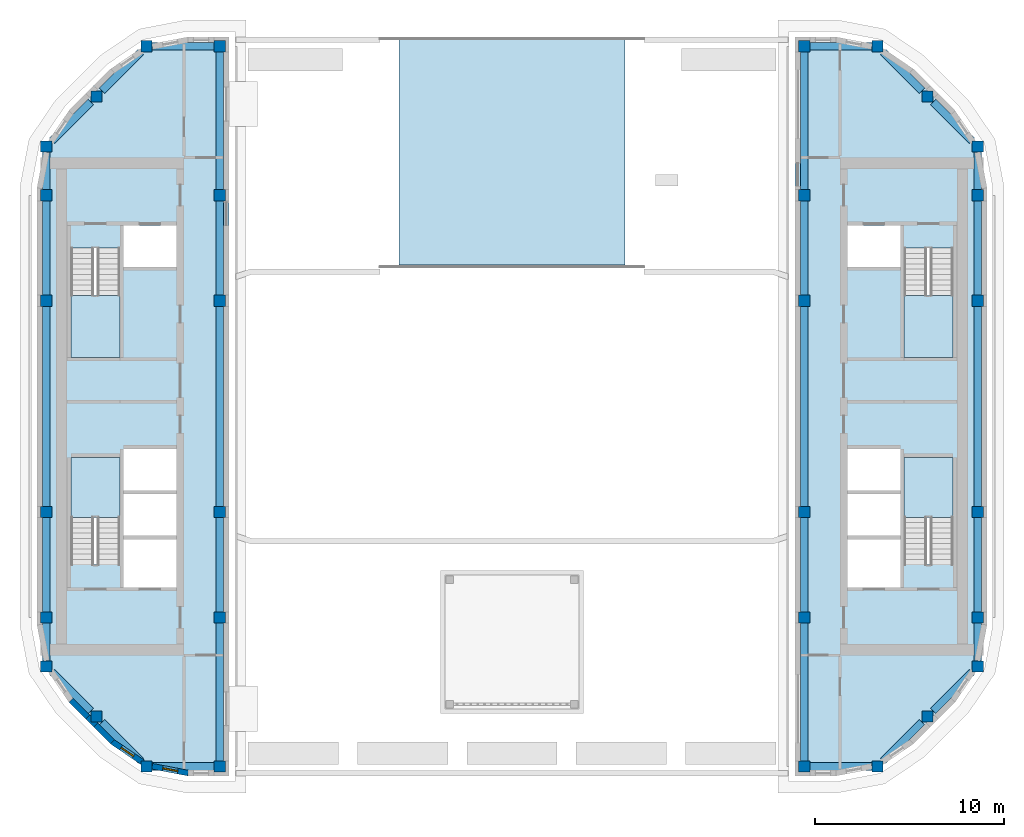
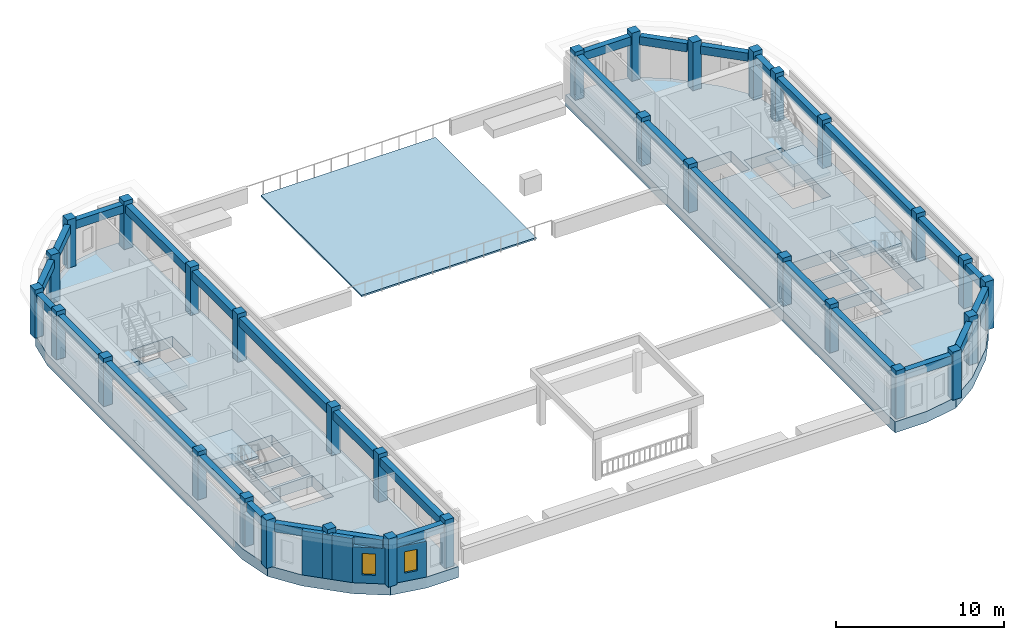
# One storey, part 1 of 14: 32 beams, 32 columns, 7 slabs, 5 walls, 2 windows, 2 openings, 4 elements without a shape of their own.
"""IFC4 building model written with IfcOpenShell, lengths in metres."""

from ifc_helpers import new_model, si_unit, direction, frame, frame_2d, origin, origin_2d, place, context, subcontext, project, spatial, polyline, rectangle, outline, extrude, material, layer, layer_set, material_profile, profile_set, type_object, element, fill, aggregate, save


model = new_model("IFC4")

# Units and contexts
model_context = context("Model", 3, precision=1e-05, world=origin(), true_north=direction((0.0, 1.0)))
body_context = subcontext(model_context, "Body", "Model", "MODEL_VIEW")
ifc_project = project(units=[si_unit("LENGTHUNIT", "METRE"), si_unit("AREAUNIT", "SQUARE_METRE"), si_unit("VOLUMEUNIT", "CUBIC_METRE"), si_unit("PLANEANGLEUNIT", "RADIAN"), si_unit("MASSUNIT", "GRAM", prefix="KILO")], contexts=[model_context])

# Site, building, storey
site_placement = place(None, origin())
site = spatial("IfcSite", under=ifc_project, at=site_placement, CompositionType="ELEMENT")
building_placement = place(site_placement, origin())
building = spatial("IfcBuilding", under=site, at=building_placement, Name="Kiln Ring Residences", CompositionType="ELEMENT")
storey_placement = place(building_placement, frame((0.0, 0.0, 299.89990234375)))
storey = spatial("IfcBuildingStorey", under=building, at=storey_placement, Name="L77 Crown", CompositionType="ELEMENT", Elevation=299.89990234375)

# Columns
ifc_material_1 = material(Name="Concrete C60/75", Category="concrete")
ifc_material_profile_1 = material_profile(ifc_material_1, rectangle(XDim=0.60009765625, YDim=0.60009765625, at=origin_2d()), Name="RC600x600")
ifc_profile_set_1 = profile_set([ifc_material_profile_1], Name="Concrete C60/75")
column_type = type_object("IfcColumnType", Name="Crown column RC600x600 C60/75", PredefinedType="COLUMN", material=ifc_profile_set_1)
for number, where, z_axis, x_axis, name in (
    (1, (-24.699951171875, -13.79296875, 0.0), (0.0, 0.0, 1.0), (1.0, 0.0, 0.0), "Crown column L77 Crown 1"),
    (2, (-24.699951171875, -11.199951171875, 0.0), (0.0, 0.0, 1.0), (1.0, 0.0, 0.0), "Crown column L77 Crown 2"),
    (3, (-24.699951171875, -5.60009765625, 0.0), (0.0, 0.0, 1.0), (1.0, 0.0, 0.0), "Crown column L77 Crown 3"),
    (4, (-24.699951171875, 5.60009765625, 0.0), (0.0, 0.0, 1.0), (1.0, 0.0, 0.0), "Crown column L77 Crown 4"),
    (5, (-24.699951171875, 11.199951171875, 0.0), (0.0, 0.0, 1.0), (1.0, 0.0, 0.0), "Crown column L77 Crown 5"),
    (6, (-24.699951171875, 13.79296875, 0.0), (0.0, 0.0, 1.0), (1.0, 0.0, 0.0), "Crown column L77 Crown 6"),
    (7, (-22.04638671875, -16.4462890625, 0.0), (0.0, 0.0, 1.0), (1.0, 0.0, 0.0), "Crown column L77 Crown 7"),
    (8, (-22.04638671875, 16.4462890625, 0.0), (0.0, 0.0, 1.0), (1.0, 0.0, 0.0), "Crown column L77 Crown 8"),
    (9, (-19.392822265625, -19.10009765625, 0.0), (0.0, 0.0, 1.0), (1.0, 0.0, 0.0), "Crown column L77 Crown 9"),
    (10, (-19.392822265625, 19.10009765625, 0.0), (0.0, 0.0, 1.0), (1.0, 0.0, 0.0), "Crown column L77 Crown 10"),
    (11, (-15.5, -19.10009765625, 0.0), (0.0, 0.0, 1.0), (1.0, 0.0, 0.0), "Crown column L77 Crown 11"),
    (12, (-15.5, -11.199951171875, 0.0), (0.0, 0.0, 1.0), (1.0, 0.0, 0.0), "Crown column L77 Crown 12"),
    (13, (-15.5, -5.60009765625, 0.0), (0.0, 0.0, 1.0), (1.0, 0.0, 0.0), "Crown column L77 Crown 13"),
    (14, (-15.5, 5.60009765625, 0.0), (0.0, 0.0, 1.0), (1.0, 0.0, 0.0), "Crown column L77 Crown 14"),
    (15, (-15.5, 11.199951171875, 0.0), (0.0, 0.0, 1.0), (1.0, 0.0, 0.0), "Crown column L77 Crown 15"),
    (16, (-15.5, 19.10009765625, 0.0), (0.0, 0.0, 1.0), (1.0, 0.0, 0.0), "Crown column L77 Crown 16"),
    (17, (15.5, -19.10009765625, 0.0), (0.0, 0.0, 1.0), (1.0, 0.0, 0.0), "Crown column L77 Crown 17"),
    (18, (15.5, -11.199951171875, 0.0), (0.0, 0.0, 1.0), (1.0, 0.0, 0.0), "Crown column L77 Crown 18"),
    (19, (15.5, -5.60009765625, 0.0), (0.0, 0.0, 1.0), (1.0, 0.0, 0.0), "Crown column L77 Crown 19"),
    (20, (15.5, 5.60009765625, 0.0), (0.0, 0.0, 1.0), (1.0, 0.0, 0.0), "Crown column L77 Crown 20"),
    (21, (15.5, 11.199951171875, 0.0), (0.0, 0.0, 1.0), (1.0, 0.0, 0.0), "Crown column L77 Crown 21"),
    (22, (15.5, 19.10009765625, 0.0), (0.0, 0.0, 1.0), (1.0, 0.0, 0.0), "Crown column L77 Crown 22"),
    (23, (19.392822265625, -19.10009765625, 0.0), (0.0, 0.0, 1.0), (1.0, 0.0, 0.0), "Crown column L77 Crown 23"),
    (24, (19.392822265625, 19.10009765625, 0.0), (0.0, 0.0, 1.0), (1.0, 0.0, 0.0), "Crown column L77 Crown 24"),
    (25, (22.04638671875, -16.4462890625, 0.0), (0.0, 0.0, 1.0), (1.0, 0.0, 0.0), "Crown column L77 Crown 25"),
    (26, (22.04638671875, 16.4462890625, 0.0), (0.0, 0.0, 1.0), (1.0, 0.0, 0.0), "Crown column L77 Crown 26"),
    (27, (24.699951171875, -13.79296875, 0.0), (0.0, 0.0, 1.0), (1.0, 0.0, 0.0), "Crown column L77 Crown 27"),
    (28, (24.699951171875, -11.199951171875, 0.0), (0.0, 0.0, 1.0), (1.0, 0.0, 0.0), "Crown column L77 Crown 28"),
    (29, (24.699951171875, -5.60009765625, 0.0), (0.0, 0.0, 1.0), (1.0, 0.0, 0.0), "Crown column L77 Crown 29"),
    (30, (24.699951171875, 5.60009765625, 0.0), (0.0, 0.0, 1.0), (1.0, 0.0, 0.0), "Crown column L77 Crown 30"),
    (31, (24.699951171875, 11.199951171875, 0.0), (0.0, 0.0, 1.0), (1.0, 0.0, 0.0), "Crown column L77 Crown 31"),
    (32, (24.699951171875, 13.79296875, 0.0), (0.0, 0.0, 1.0), (1.0, 0.0, 0.0), "Crown column L77 Crown 32"),
):
    element("IfcColumn", number, at=place(storey_placement, frame(where, z_axis=z_axis, x_axis=x_axis)), inside=storey, type_object=column_type, Name=name, PredefinedType="COLUMN", context=body_context, shape_type="SweptSolid", body=[
        extrude(rectangle(XDim=0.60009765625, YDim=0.60009765625, at=origin_2d()), origin(), (0.0, 0.0, 1.0), 3.5),
    ])

# Beams
ifc_material_2 = material(Name="Concrete C50/60", Category="concrete")
ifc_material_profile_2 = material_profile(ifc_material_2, rectangle(XDim=0.39990234375, YDim=0.60009765625, at=origin_2d()), Name="RC400x600")
ifc_profile_set_2 = profile_set([ifc_material_profile_2], Name="Concrete C50/60")
beam_type = type_object("IfcBeamType", Name="Spandrel beam RC400x600 C50/60", PredefinedType="SPANDREL", material=ifc_profile_set_2)
beam_1_placement = place(storey_placement, frame((-24.699951171875, -5.89990234375, 2.900146484375), z_axis=(0.0, -1.0, 0.0), x_axis=(1.0, 0.0, 0.0)))
element("IfcBeam", 33, at=beam_1_placement, inside=storey, type_object=beam_type, Name="Spandrel beam L77 Crown 1", PredefinedType="SPANDREL", context=body_context, shape_type="SweptSolid", body=[
    extrude(rectangle(XDim=0.39990234375, YDim=0.60009765625, at=origin_2d()), origin(), (0.0, 0.0, 1.0), 5.0),
])
beam_2_placement = place(storey_placement, frame((-24.699951171875, -11.5, 2.900146484375), z_axis=(0.0, -1.0, 0.0), x_axis=(1.0, 0.0, 0.0)))
element("IfcBeam", 34, at=beam_2_placement, inside=storey, type_object=beam_type, Name="Spandrel beam L77 Crown 2", PredefinedType="SPANDREL", context=body_context, shape_type="SweptSolid", body=[
    extrude(rectangle(XDim=0.39990234375, YDim=0.60009765625, at=origin_2d()), origin(), (0.0, 0.0, 1.0), 1.992919921875),
])
for number, where, z_axis, x_axis, name in (
    (35, (-24.39990234375, -14.0927734375, 2.900146484375), (0.707064747792, -0.707148812083, 0.0), (0.707148812083, 0.707064747792, 0.0), "Spandrel beam L77 Crown 3"),
    (36, (-21.746337890625, -16.746337890625, 2.900146484375), (0.707064747792, -0.707148812083, 0.0), (0.707148812083, 0.707064747792, 0.0), "Spandrel beam L77 Crown 4"),
):
    element("IfcBeam", number, at=place(storey_placement, frame(where, z_axis=z_axis, x_axis=x_axis)), inside=storey, type_object=beam_type, Name=name, PredefinedType="SPANDREL", context=body_context, shape_type="SweptSolid", body=[
        extrude(rectangle(XDim=0.39990234375, YDim=0.60009765625, at=origin_2d()), origin(), (0.0, 0.0, 1.0), 2.904296875),
    ])
beam_3_placement = place(storey_placement, frame((-19.093017578125, -19.10009765625, 2.900146484375), z_axis=(1.0, 0.0, 0.0), x_axis=(0.0, 1.0, 0.0)))
element("IfcBeam", 37, at=beam_3_placement, inside=storey, type_object=beam_type, Name="Spandrel beam L77 Crown 5", PredefinedType="SPANDREL", context=body_context, shape_type="SweptSolid", body=[
    extrude(rectangle(XDim=0.39990234375, YDim=0.60009765625, at=origin_2d()), origin(), (0.0, 0.0, 1.0), 3.29296875),
])
beam_4_placement = place(storey_placement, frame((-15.5, -18.800048828125, 2.900146484375), z_axis=(0.0, 1.0, 0.0), x_axis=(-1.0, 0.0, 0.0)))
element("IfcBeam", 38, at=beam_4_placement, inside=storey, type_object=beam_type, Name="Spandrel beam L77 Crown 6", PredefinedType="SPANDREL", context=body_context, shape_type="SweptSolid", body=[
    extrude(rectangle(XDim=0.39990234375, YDim=0.60009765625, at=origin_2d()), origin(), (0.0, 0.0, 1.0), 7.300048828125),
])
beam_5_placement = place(storey_placement, frame((-15.5, -10.89990234375, 2.900146484375), z_axis=(0.0, 1.0, 0.0), x_axis=(-1.0, 0.0, 0.0)))
element("IfcBeam", 39, at=beam_5_placement, inside=storey, type_object=beam_type, Name="Spandrel beam L77 Crown 7", PredefinedType="SPANDREL", context=body_context, shape_type="SweptSolid", body=[
    extrude(rectangle(XDim=0.39990234375, YDim=0.60009765625, at=origin_2d()), origin(), (0.0, 0.0, 1.0), 5.0),
])
beam_6_placement = place(storey_placement, frame((-15.5, -5.300048828125, 2.900146484375), z_axis=(0.0, 1.0, 0.0), x_axis=(-1.0, 0.0, 0.0)))
element("IfcBeam", 40, at=beam_6_placement, inside=storey, type_object=beam_type, Name="Spandrel beam L77 Crown 8", PredefinedType="SPANDREL", context=body_context, shape_type="SweptSolid", body=[
    extrude(rectangle(XDim=0.39990234375, YDim=0.60009765625, at=origin_2d()), origin(), (0.0, 0.0, 1.0), 10.60009765625),
])
beam_7_placement = place(storey_placement, frame((-15.5, 5.89990234375, 2.900146484375), z_axis=(0.0, 1.0, 0.0), x_axis=(-1.0, 0.0, 0.0)))
element("IfcBeam", 41, at=beam_7_placement, inside=storey, type_object=beam_type, Name="Spandrel beam L77 Crown 9", PredefinedType="SPANDREL", context=body_context, shape_type="SweptSolid", body=[
    extrude(rectangle(XDim=0.39990234375, YDim=0.60009765625, at=origin_2d()), origin(), (0.0, 0.0, 1.0), 5.0),
])
beam_8_placement = place(storey_placement, frame((-15.5, 11.5, 2.900146484375), z_axis=(0.0, 1.0, 0.0), x_axis=(-1.0, 0.0, 0.0)))
element("IfcBeam", 42, at=beam_8_placement, inside=storey, type_object=beam_type, Name="Spandrel beam L77 Crown 10", PredefinedType="SPANDREL", context=body_context, shape_type="SweptSolid", body=[
    extrude(rectangle(XDim=0.39990234375, YDim=0.60009765625, at=origin_2d()), origin(), (0.0, 0.0, 1.0), 7.300048828125),
])
beam_9_placement = place(storey_placement, frame((-15.800048828125, 19.10009765625, 2.900146484375), z_axis=(-1.0, 0.0, 0.0), x_axis=(0.0, -1.0, 0.0)))
element("IfcBeam", 43, at=beam_9_placement, inside=storey, type_object=beam_type, Name="Spandrel beam L77 Crown 11", PredefinedType="SPANDREL", context=body_context, shape_type="SweptSolid", body=[
    extrude(rectangle(XDim=0.39990234375, YDim=0.60009765625, at=origin_2d()), origin(), (0.0, 0.0, 1.0), 3.29296875),
])
for number, where, z_axis, x_axis, name in (
    (44, (-19.69287109375, 18.800048828125, 2.900146484375), (-0.707064747792, -0.707148812083, 0.0), (0.707148812083, -0.707064747792, 0.0), "Spandrel beam L77 Crown 12"),
    (45, (-22.346435546875, 16.146484375, 2.900146484375), (-0.707064747792, -0.707148812083, 0.0), (0.707148812083, -0.707064747792, 0.0), "Spandrel beam L77 Crown 13"),
):
    element("IfcBeam", number, at=place(storey_placement, frame(where, z_axis=z_axis, x_axis=x_axis)), inside=storey, type_object=beam_type, Name=name, PredefinedType="SPANDREL", context=body_context, shape_type="SweptSolid", body=[
        extrude(rectangle(XDim=0.39990234375, YDim=0.60009765625, at=origin_2d()), origin(), (0.0, 0.0, 1.0), 2.904296875),
    ])
beam_10_placement = place(storey_placement, frame((-24.699951171875, 13.492919921875, 2.900146484375), z_axis=(0.0, -1.0, 0.0), x_axis=(1.0, 0.0, 0.0)))
element("IfcBeam", 46, at=beam_10_placement, inside=storey, type_object=beam_type, Name="Spandrel beam L77 Crown 14", PredefinedType="SPANDREL", context=body_context, shape_type="SweptSolid", body=[
    extrude(rectangle(XDim=0.39990234375, YDim=0.60009765625, at=origin_2d()), origin(), (0.0, 0.0, 1.0), 1.992919921875),
])
beam_11_placement = place(storey_placement, frame((-24.699951171875, 10.89990234375, 2.900146484375), z_axis=(0.0, -1.0, 0.0), x_axis=(1.0, 0.0, 0.0)))
element("IfcBeam", 47, at=beam_11_placement, inside=storey, type_object=beam_type, Name="Spandrel beam L77 Crown 15", PredefinedType="SPANDREL", context=body_context, shape_type="SweptSolid", body=[
    extrude(rectangle(XDim=0.39990234375, YDim=0.60009765625, at=origin_2d()), origin(), (0.0, 0.0, 1.0), 5.0),
])
beam_12_placement = place(storey_placement, frame((-24.699951171875, 5.300048828125, 2.900146484375), z_axis=(0.0, -1.0, 0.0), x_axis=(1.0, 0.0, 0.0)))
element("IfcBeam", 48, at=beam_12_placement, inside=storey, type_object=beam_type, Name="Spandrel beam L77 Crown 16", PredefinedType="SPANDREL", context=body_context, shape_type="SweptSolid", body=[
    extrude(rectangle(XDim=0.39990234375, YDim=0.60009765625, at=origin_2d()), origin(), (0.0, 0.0, 1.0), 10.60009765625),
])
beam_13_placement = place(storey_placement, frame((15.5, -5.89990234375, 2.900146484375), z_axis=(0.0, -1.0, 0.0), x_axis=(1.0, 0.0, 0.0)))
element("IfcBeam", 49, at=beam_13_placement, inside=storey, type_object=beam_type, Name="Spandrel beam L77 Crown 17", PredefinedType="SPANDREL", context=body_context, shape_type="SweptSolid", body=[
    extrude(rectangle(XDim=0.39990234375, YDim=0.60009765625, at=origin_2d()), origin(), (0.0, 0.0, 1.0), 5.0),
])
beam_14_placement = place(storey_placement, frame((15.5, -11.5, 2.900146484375), z_axis=(0.0, -1.0, 0.0), x_axis=(1.0, 0.0, 0.0)))
element("IfcBeam", 50, at=beam_14_placement, inside=storey, type_object=beam_type, Name="Spandrel beam L77 Crown 18", PredefinedType="SPANDREL", context=body_context, shape_type="SweptSolid", body=[
    extrude(rectangle(XDim=0.39990234375, YDim=0.60009765625, at=origin_2d()), origin(), (0.0, 0.0, 1.0), 7.300048828125),
])
beam_15_placement = place(storey_placement, frame((15.800048828125, -19.10009765625, 2.900146484375), z_axis=(1.0, 0.0, 0.0), x_axis=(0.0, 1.0, 0.0)))
element("IfcBeam", 51, at=beam_15_placement, inside=storey, type_object=beam_type, Name="Spandrel beam L77 Crown 19", PredefinedType="SPANDREL", context=body_context, shape_type="SweptSolid", body=[
    extrude(rectangle(XDim=0.39990234375, YDim=0.60009765625, at=origin_2d()), origin(), (0.0, 0.0, 1.0), 3.29296875),
])
for number, where, z_axis, x_axis, name in (
    (52, (19.69287109375, -18.800048828125, 2.900146484375), (0.707064747792, 0.707148812083, 0.0), (-0.707148812083, 0.707064747792, 0.0), "Spandrel beam L77 Crown 20"),
    (53, (22.346435546875, -16.146484375, 2.900146484375), (0.707064747792, 0.707148812083, 0.0), (-0.707148812083, 0.707064747792, 0.0), "Spandrel beam L77 Crown 21"),
):
    element("IfcBeam", number, at=place(storey_placement, frame(where, z_axis=z_axis, x_axis=x_axis)), inside=storey, type_object=beam_type, Name=name, PredefinedType="SPANDREL", context=body_context, shape_type="SweptSolid", body=[
        extrude(rectangle(XDim=0.39990234375, YDim=0.60009765625, at=origin_2d()), origin(), (0.0, 0.0, 1.0), 2.904296875),
    ])
beam_16_placement = place(storey_placement, frame((24.699951171875, -13.492919921875, 2.900146484375), z_axis=(0.0, 1.0, 0.0), x_axis=(-1.0, 0.0, 0.0)))
element("IfcBeam", 54, at=beam_16_placement, inside=storey, type_object=beam_type, Name="Spandrel beam L77 Crown 22", PredefinedType="SPANDREL", context=body_context, shape_type="SweptSolid", body=[
    extrude(rectangle(XDim=0.39990234375, YDim=0.60009765625, at=origin_2d()), origin(), (0.0, 0.0, 1.0), 1.992919921875),
])
beam_17_placement = place(storey_placement, frame((24.699951171875, -10.89990234375, 2.900146484375), z_axis=(0.0, 1.0, 0.0), x_axis=(-1.0, 0.0, 0.0)))
element("IfcBeam", 55, at=beam_17_placement, inside=storey, type_object=beam_type, Name="Spandrel beam L77 Crown 23", PredefinedType="SPANDREL", context=body_context, shape_type="SweptSolid", body=[
    extrude(rectangle(XDim=0.39990234375, YDim=0.60009765625, at=origin_2d()), origin(), (0.0, 0.0, 1.0), 5.0),
])
beam_18_placement = place(storey_placement, frame((24.699951171875, -5.300048828125, 2.900146484375), z_axis=(0.0, 1.0, 0.0), x_axis=(-1.0, 0.0, 0.0)))
element("IfcBeam", 56, at=beam_18_placement, inside=storey, type_object=beam_type, Name="Spandrel beam L77 Crown 24", PredefinedType="SPANDREL", context=body_context, shape_type="SweptSolid", body=[
    extrude(rectangle(XDim=0.39990234375, YDim=0.60009765625, at=origin_2d()), origin(), (0.0, 0.0, 1.0), 10.60009765625),
])
beam_19_placement = place(storey_placement, frame((24.699951171875, 5.89990234375, 2.900146484375), z_axis=(0.0, 1.0, 0.0), x_axis=(-1.0, 0.0, 0.0)))
element("IfcBeam", 57, at=beam_19_placement, inside=storey, type_object=beam_type, Name="Spandrel beam L77 Crown 25", PredefinedType="SPANDREL", context=body_context, shape_type="SweptSolid", body=[
    extrude(rectangle(XDim=0.39990234375, YDim=0.60009765625, at=origin_2d()), origin(), (0.0, 0.0, 1.0), 5.0),
])
beam_20_placement = place(storey_placement, frame((24.699951171875, 11.5, 2.900146484375), z_axis=(0.0, 1.0, 0.0), x_axis=(-1.0, 0.0, 0.0)))
element("IfcBeam", 58, at=beam_20_placement, inside=storey, type_object=beam_type, Name="Spandrel beam L77 Crown 26", PredefinedType="SPANDREL", context=body_context, shape_type="SweptSolid", body=[
    extrude(rectangle(XDim=0.39990234375, YDim=0.60009765625, at=origin_2d()), origin(), (0.0, 0.0, 1.0), 1.992919921875),
])
for number, where, z_axis, x_axis, name in (
    (59, (24.39990234375, 14.0927734375, 2.900146484375), (-0.707064747792, 0.707148812083, 0.0), (-0.707148812083, -0.707064747792, 0.0), "Spandrel beam L77 Crown 27"),
    (60, (21.746337890625, 16.746337890625, 2.900146484375), (-0.707064747792, 0.707148812083, 0.0), (-0.707148812083, -0.707064747792, 0.0), "Spandrel beam L77 Crown 28"),
):
    element("IfcBeam", number, at=place(storey_placement, frame(where, z_axis=z_axis, x_axis=x_axis)), inside=storey, type_object=beam_type, Name=name, PredefinedType="SPANDREL", context=body_context, shape_type="SweptSolid", body=[
        extrude(rectangle(XDim=0.39990234375, YDim=0.60009765625, at=origin_2d()), origin(), (0.0, 0.0, 1.0), 2.904296875),
    ])
beam_21_placement = place(storey_placement, frame((19.093017578125, 19.10009765625, 2.900146484375), z_axis=(-1.0, 0.0, 0.0), x_axis=(0.0, -1.0, 0.0)))
element("IfcBeam", 61, at=beam_21_placement, inside=storey, type_object=beam_type, Name="Spandrel beam L77 Crown 29", PredefinedType="SPANDREL", context=body_context, shape_type="SweptSolid", body=[
    extrude(rectangle(XDim=0.39990234375, YDim=0.60009765625, at=origin_2d()), origin(), (0.0, 0.0, 1.0), 3.29296875),
])
beam_22_placement = place(storey_placement, frame((15.5, 18.800048828125, 2.900146484375), z_axis=(0.0, -1.0, 0.0), x_axis=(1.0, 0.0, 0.0)))
element("IfcBeam", 62, at=beam_22_placement, inside=storey, type_object=beam_type, Name="Spandrel beam L77 Crown 30", PredefinedType="SPANDREL", context=body_context, shape_type="SweptSolid", body=[
    extrude(rectangle(XDim=0.39990234375, YDim=0.60009765625, at=origin_2d()), origin(), (0.0, 0.0, 1.0), 7.300048828125),
])
beam_23_placement = place(storey_placement, frame((15.5, 10.89990234375, 2.900146484375), z_axis=(0.0, -1.0, 0.0), x_axis=(1.0, 0.0, 0.0)))
element("IfcBeam", 63, at=beam_23_placement, inside=storey, type_object=beam_type, Name="Spandrel beam L77 Crown 31", PredefinedType="SPANDREL", context=body_context, shape_type="SweptSolid", body=[
    extrude(rectangle(XDim=0.39990234375, YDim=0.60009765625, at=origin_2d()), origin(), (0.0, 0.0, 1.0), 5.0),
])
beam_24_placement = place(storey_placement, frame((15.5, 5.300048828125, 2.900146484375), z_axis=(0.0, -1.0, 0.0), x_axis=(1.0, 0.0, 0.0)))
element("IfcBeam", 64, at=beam_24_placement, inside=storey, type_object=beam_type, Name="Spandrel beam L77 Crown 32", PredefinedType="SPANDREL", context=body_context, shape_type="SweptSolid", body=[
    extrude(rectangle(XDim=0.39990234375, YDim=0.60009765625, at=origin_2d()), origin(), (0.0, 0.0, 1.0), 10.60009765625),
])

# Stair, slab
ifc_material_3 = material(Name="Concrete C40/50", Category="concrete")
stair_type = type_object("IfcStairType", Name="CORE-STAIR", PredefinedType="HALF_TURN_STAIR", material=ifc_material_3)
placement_1 = place(storey_placement, origin())
stair_1 = element("IfcStair", 65, at=placement_1, inside=storey, type_object=stair_type, Name="L77 Crown stair W-STN", PredefinedType="HALF_TURN_STAIR")
ifc_material_4 = material(Name="Concrete C40/50", Category="concrete")
ifc_layer_1 = layer(ifc_material_4, 0.199951171875)
ifc_layer_set_1 = layer_set([ifc_layer_1], Name="CORE-STAIR-LANDING")
slab_type_1 = type_object("IfcSlabType", Name="CORE-STAIR-LANDING", PredefinedType="LANDING", material=ifc_layer_set_1)
placement_2 = place(storey_placement, frame((0.0, 0.0, 1.550048828125)))
slab_1 = element("IfcSlab", 66, at=placement_2, type_object=slab_type_1, Name="W-STN landing 1", PredefinedType="LANDING", context=body_context, shape_type="SweptSolid", body=[
    extrude(outline(polyline([(-23.39990234375, 5.8798828125), (-23.39990234375, 2.60009765625), (-20.800048828125, 2.60009765625), (-20.800048828125, 5.8798828125), (-23.39990234375, 5.8798828125)])), origin(), (0.0, 0.0, 1.0), 0.199951171875),
])
aggregate(stair_1, [slab_1])

stair_2 = element("IfcStair", 67, at=placement_1, inside=storey, type_object=stair_type, Name="L77 Crown stair W-STS", PredefinedType="HALF_TURN_STAIR")
slab_2 = element("IfcSlab", 68, at=placement_2, type_object=slab_type_1, Name="W-STS landing 1", PredefinedType="LANDING", context=body_context, shape_type="SweptSolid", body=[
    extrude(outline(polyline([(-20.800048828125, -5.8798828125), (-20.800048828125, -2.699951171875), (-23.39990234375, -2.699951171875), (-23.39990234375, -5.8798828125), (-20.800048828125, -5.8798828125)])), origin(), (0.0, 0.0, 1.0), 0.199951171875),
])
aggregate(stair_2, [slab_2])

stair_3 = element("IfcStair", 69, at=placement_1, inside=storey, type_object=stair_type, Name="L77 Crown stair E-STN", PredefinedType="HALF_TURN_STAIR")
slab_3 = element("IfcSlab", 70, at=placement_2, type_object=slab_type_1, Name="E-STN landing 1", PredefinedType="LANDING", context=body_context, shape_type="SweptSolid", body=[
    extrude(outline(polyline([(20.800048828125, 5.8798828125), (20.800048828125, 2.60009765625), (23.39990234375, 2.60009765625), (23.39990234375, 5.8798828125), (20.800048828125, 5.8798828125)])), origin(), (0.0, 0.0, 1.0), 0.199951171875),
])
aggregate(stair_3, [slab_3])

stair_4 = element("IfcStair", 71, at=placement_1, inside=storey, type_object=stair_type, Name="L77 Crown stair E-STS", PredefinedType="HALF_TURN_STAIR")
slab_4 = element("IfcSlab", 72, at=placement_2, type_object=slab_type_1, Name="E-STS landing 1", PredefinedType="LANDING", context=body_context, shape_type="SweptSolid", body=[
    extrude(outline(polyline([(23.39990234375, -5.8798828125), (23.39990234375, -2.699951171875), (20.800048828125, -2.699951171875), (20.800048828125, -5.8798828125), (23.39990234375, -5.8798828125)])), origin(), (0.0, 0.0, 1.0), 0.199951171875),
])
aggregate(stair_4, [slab_4])

# Slabs
ifc_material_5 = material(Name="Non-slip epoxy deck coating on concrete C35/45", Category="concrete")
ifc_layer_2 = layer(ifc_material_5, 0.1201171875)
ifc_layer_set_2 = layer_set([ifc_layer_2], Name="HELIPAD SURFACE 120")
slab_type_2 = type_object("IfcSlabType", Name="HELIPAD SURFACE 120", PredefinedType="FLOOR", material=ifc_layer_set_2)
element("IfcSlab", 73, at=placement_1, inside=storey, type_object=slab_type_2, Name="Helipad", PredefinedType="FLOOR", context=body_context, shape_type="SweptSolid", body=[
    extrude(outline(polyline([(-6.0, 7.5), (6.0, 7.5), (6.0, 19.5), (-6.0, 19.5), (-6.0, 7.5)])), origin(), (0.0, 0.0, 1.0), 0.1201171875),
])
ifc_material_6 = material(Name="Concrete C40/50", Category="concrete")
ifc_layer_3 = layer(ifc_material_6, 0.800048828125)
ifc_layer_set_3 = layer_set([ifc_layer_3], Name="Transfer slab 800")
slab_type_3 = type_object("IfcSlabType", Name="Transfer slab 800", PredefinedType="FLOOR", material=ifc_layer_set_3)
placement_3 = place(storey_placement, frame((0.0, 0.0, -0.7998046875)))
element("IfcSlab", 74, at=placement_3, inside=storey, type_object=slab_type_3, Name="Transfer slab L77 Crown 1", PredefinedType="FLOOR", context=body_context, shape_type="SweptSolid", body=[
    extrude(outline(polyline([(-21.297119140625, -17.90283203125), (-19.42431640625, -19.17578125), (-17.199951171875, -19.60009765625), (-15.0, -19.60009765625), (-15.0, 19.60009765625), (-17.199951171875, 19.60009765625), (-19.42431640625, 19.17578125), (-21.297119140625, 17.90283203125), (-23.5029296875, 15.697021484375), (-24.775634765625, 13.82421875), (-25.199951171875, 11.60009765625), (-25.199951171875, -11.60009765625), (-24.775634765625, -13.82421875), (-23.5029296875, -15.697021484375), (-21.297119140625, -17.90283203125)]), holes=[polyline([(-17.800048828125, -7.050048828125), (-17.800048828125, -9.60009765625), (-20.60009765625, -9.60009765625), (-20.60009765625, -7.050048828125), (-17.800048828125, -7.050048828125)]), polyline([(-17.800048828125, -6.85009765625), (-20.60009765625, -6.85009765625), (-20.60009765625, -4.64990234375), (-17.800048828125, -4.64990234375), (-17.800048828125, -6.85009765625)]), polyline([(-17.800048828125, -2.25), (-17.800048828125, -4.449951171875), (-20.60009765625, -4.449951171875), (-20.60009765625, -2.25), (-17.800048828125, -2.25)]), polyline([(-17.800048828125, 7.39990234375), (-20.60009765625, 7.39990234375), (-20.60009765625, 9.60009765625), (-17.800048828125, 9.60009765625), (-17.800048828125, 7.39990234375)]), polyline([(-20.800048828125, -8.39794921875), (-23.39990234375, -8.39794921875), (-23.39990234375, -2.699951171875), (-20.800048828125, -2.699951171875), (-20.800048828125, -8.39794921875)]), polyline([(-20.800048828125, 2.60009765625), (-23.39990234375, 2.60009765625), (-23.39990234375, 8.39794921875), (-20.800048828125, 8.39794921875), (-20.800048828125, 2.60009765625)])]), origin(), (0.0, 0.0, 1.0), 0.7998046875),
])
element("IfcSlab", 75, at=placement_3, inside=storey, type_object=slab_type_3, Name="Transfer slab L77 Crown 2", PredefinedType="FLOOR", context=body_context, shape_type="SweptSolid", body=[
    extrude(outline(polyline([(15.0, 19.60009765625), (15.0, -19.60009765625), (17.199951171875, -19.60009765625), (19.42431640625, -19.17578125), (21.297119140625, -17.90283203125), (23.5029296875, -15.697021484375), (24.775634765625, -13.82421875), (25.199951171875, -11.60009765625), (25.199951171875, 11.60009765625), (24.775634765625, 13.82421875), (23.5029296875, 15.697021484375), (21.297119140625, 17.90283203125), (19.42431640625, 19.17578125), (17.199951171875, 19.60009765625), (15.0, 19.60009765625)]), holes=[polyline([(20.800048828125, -8.39794921875), (20.800048828125, -2.699951171875), (23.39990234375, -2.699951171875), (23.39990234375, -8.39794921875), (20.800048828125, -8.39794921875)]), polyline([(20.800048828125, 2.60009765625), (20.800048828125, 8.39794921875), (23.39990234375, 8.39794921875), (23.39990234375, 2.60009765625), (20.800048828125, 2.60009765625)]), polyline([(17.800048828125, -6.85009765625), (17.800048828125, -4.64990234375), (20.60009765625, -4.64990234375), (20.60009765625, -6.85009765625), (17.800048828125, -6.85009765625)]), polyline([(17.800048828125, 7.39990234375), (17.800048828125, 9.60009765625), (20.60009765625, 9.60009765625), (20.60009765625, 7.39990234375), (17.800048828125, 7.39990234375)]), polyline([(20.60009765625, -9.60009765625), (17.800048828125, -9.60009765625), (17.800048828125, -7.050048828125), (20.60009765625, -7.050048828125), (20.60009765625, -9.60009765625)]), polyline([(20.60009765625, -4.449951171875), (17.800048828125, -4.449951171875), (17.800048828125, -2.25), (20.60009765625, -2.25), (20.60009765625, -4.449951171875)])]), origin(), (0.0, 0.0, 1.0), 0.7998046875),
])

# Wall, opening, window
ifc_material_7 = material(Name="Brick masonry, dark clay brick", Category="masonry")
ifc_layer_4 = layer(ifc_material_7, 0.300048828125)
ifc_layer_set_4 = layer_set([ifc_layer_4], Name="EW-300 BRICK WALL")
wall_type = type_object("IfcWallType", Name="EW-300 BRICK WALL", PredefinedType="SOLIDWALL", material=ifc_layer_set_4)
wall_1_placement = place(storey_placement, frame((-21.212646484375, -17.77880859375, 0.0), z_axis=(0.0, 0.0, 1.0), x_axis=(0.827022075481, -0.562169446579, 0.0)))
wall_1 = element("IfcWall", 76, at=wall_1_placement, inside=storey, type_object=wall_type, Name="Facade wall L77 Crown 1", PredefinedType="SOLIDWALL", context=body_context, shape_type="SweptSolid", body=[
    extrude(rectangle(XDim=1.94775390625, YDim=0.300048828125, at=frame_2d((0.973876953125, 0.0))), origin(), (0.0, 0.0, 1.0), 2.60009765625),
])
opening_1_placement = place(wall_1_placement, frame((0.573974609375, 0.0, 0.60009765625)))
opening_1 = element("IfcOpeningElement", 77, at=opening_1_placement, cuts=wall_1, Name="Opening W5", PredefinedType="OPENING", context=body_context, shape_type="SweptSolid", body=[
    extrude(rectangle(XDim=0.800048828125, YDim=1.550048828125, at=frame_2d((0.39990234375, 0.77490234375))), frame((0.0, 0.159912109375, 0.0), z_axis=(0.0, -1.0, 0.0), x_axis=(1.0, 0.0, 0.0)), (0.0, 0.0, 1.0), 0.320068359375),
])
ifc_material_8 = material(Name="Aluminium frame with double glazing", Category="aluminium")
window_type = type_object("IfcWindowType", Name="WINDOW 800 x 1550", PartitioningType="SINGLE_PANEL", PredefinedType="WINDOW", material=ifc_material_8)
window_1_placement = place(opening_1_placement, origin())
window_1 = element("IfcWindow", 78, at=window_1_placement, inside=storey, type_object=window_type, Name="Window L77 Crown 1", OverallHeight=1.550048828125, OverallWidth=0.800048828125, PartitioningType="SINGLE_PANEL", PredefinedType="WINDOW", context=body_context, shape_type="SweptSolid", body=[
    extrude(rectangle(XDim=0.800048828125, YDim=1.550048828125, at=frame_2d((0.39990234375, 0.77490234375))), frame((0.0, 0.030029296875, 0.0), z_axis=(0.0, -1.0, 0.0), x_axis=(1.0, 0.0, 0.0)), (0.0, 0.0, 1.0), 0.06005859375),
])
fill(opening_1, window_1)

wall_2_placement = place(storey_placement, frame((-19.085205078125, -19.087646484375, 0.0), z_axis=(0.0, 0.0, 1.0), x_axis=(0.982286967073, -0.187382801553, 0.0)))
wall_2 = element("IfcWall", 79, at=wall_2_placement, inside=storey, type_object=wall_type, Name="Facade wall L77 Crown 2", PredefinedType="SOLIDWALL", context=body_context, shape_type="SweptSolid", body=[
    extrude(rectangle(XDim=1.94775390625, YDim=0.300048828125, at=frame_2d((0.973876953125, 0.0))), origin(), (0.0, 0.0, 1.0), 2.60009765625),
])
opening_2_placement = place(wall_2_placement, frame((0.573974609375, 0.0, 0.60009765625)))
opening_2 = element("IfcOpeningElement", 80, at=opening_2_placement, cuts=wall_2, Name="Opening W5", PredefinedType="OPENING", context=body_context, shape_type="SweptSolid", body=[
    extrude(rectangle(XDim=0.800048828125, YDim=1.550048828125, at=frame_2d((0.39990234375, 0.77490234375))), frame((0.0, 0.159912109375, 0.0), z_axis=(0.0, -1.0, 0.0), x_axis=(1.0, 0.0, 0.0)), (0.0, 0.0, 1.0), 0.320068359375),
])
window_2_placement = place(opening_2_placement, origin())
window_2 = element("IfcWindow", 81, at=window_2_placement, inside=storey, type_object=window_type, Name="Window L77 Crown 2", OverallHeight=1.550048828125, OverallWidth=0.800048828125, PartitioningType="SINGLE_PANEL", PredefinedType="WINDOW", context=body_context, shape_type="SweptSolid", body=[
    extrude(rectangle(XDim=0.800048828125, YDim=1.550048828125, at=frame_2d((0.39990234375, 0.77490234375))), frame((0.0, 0.030029296875, 0.0), z_axis=(0.0, -1.0, 0.0), x_axis=(1.0, 0.0, 0.0)), (0.0, 0.0, 1.0), 0.06005859375),
])
fill(opening_2, window_2)

# Walls
for number, where, z_axis, x_axis, name in (
    (82, (-23.39697265625, -15.591064453125, 0.0), (0.0, 0.0, 1.0), (0.707203678312, -0.707009870781, 0.0), "Facade wall L77 Crown 21"),
    (83, (-22.081787109375, -16.906005859375, 0.0), (0.0, 0.0, 1.0), (0.707106781187, -0.707106781187, 0.0), "Facade wall L77 Crown 22"),
):
    element("IfcWall", number, at=place(storey_placement, frame(where, z_axis=z_axis, x_axis=x_axis)), inside=storey, type_object=wall_type, Name=name, PredefinedType="SOLIDWALL", context=body_context, shape_type="SweptSolid", body=[
        extrude(rectangle(XDim=1.259765625, YDim=0.300048828125, at=frame_2d((0.6298828125, 0.0))), origin(), (0.0, 0.0, 1.0), 3.2001953125),
    ])
element("IfcWall", 84, at=placement_1, inside=storey, type_object=wall_type, Name="Corner wall L77 Crown 12", PredefinedType="SOLIDWALL", context=body_context, shape_type="SweptSolid", body=[
    extrude(outline(polyline([(-22.39990234375, -16.375732421875), (-22.612060546875, -16.587890625), (-22.18798828125, -17.01220703125), (-21.9755859375, -16.800048828125), (-22.029296875, -16.746337890625), (-22.346435546875, -16.746337890625), (-22.346435546875, -16.42919921875), (-22.39990234375, -16.375732421875)])), origin(), (0.0, 0.0, 1.0), 3.2001953125),
])

save(model, "model.ifc")
